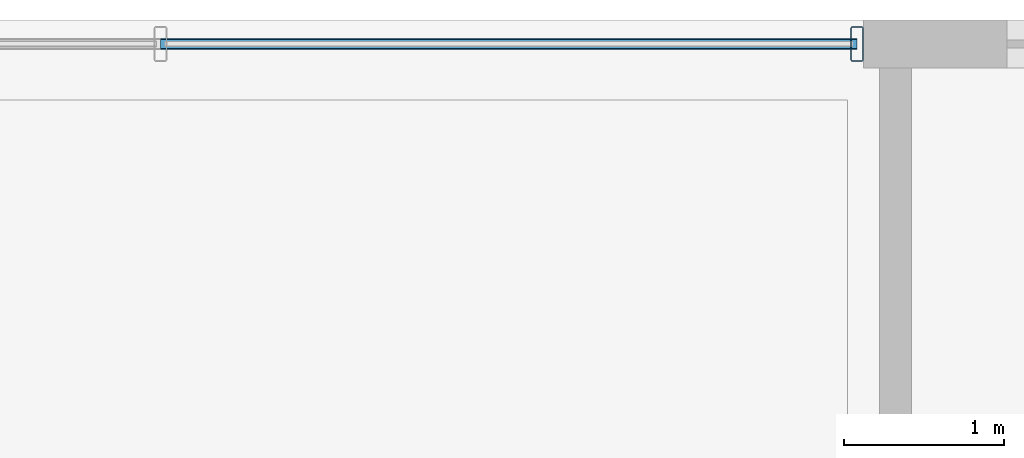
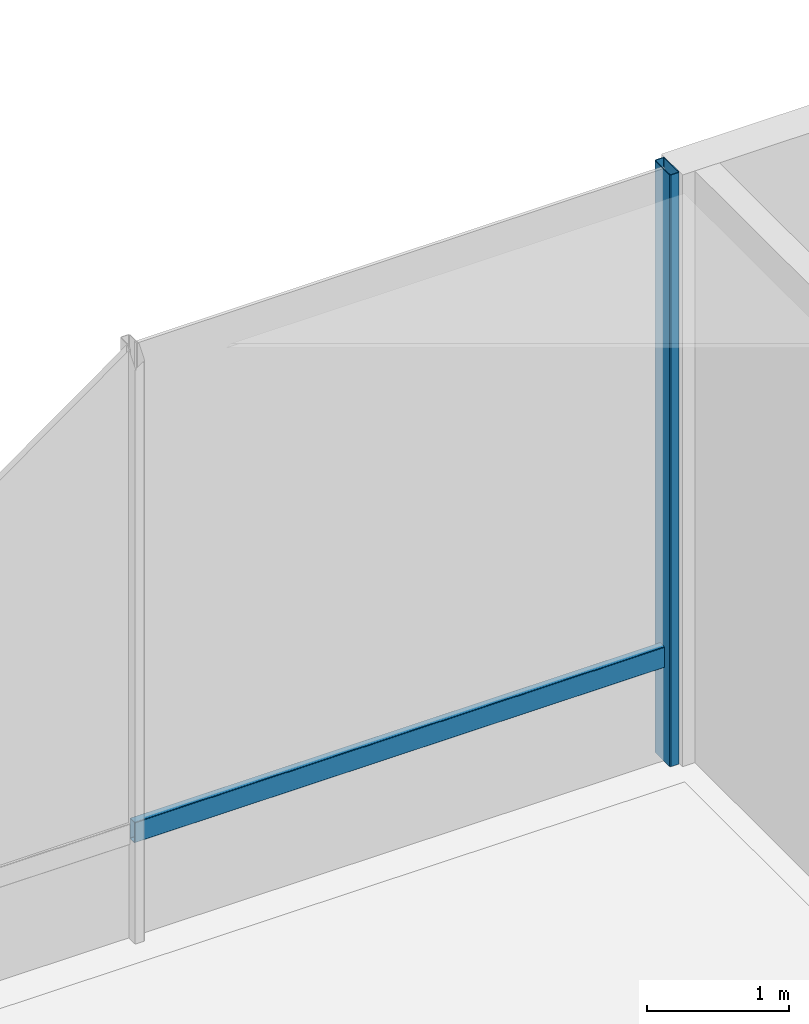
# One storey, part 18 of 46: 2 members, 1 element without a shape of its own.
"""IFC4 building model written with IfcOpenShell, lengths in metres."""

import ifcopenshell
import ifcopenshell.guid

model = None  # the IFC model being written
_history = None  # IfcOwnerHistory: only IFC2X3 demands one
_inside = {}  # id of a spatial element -> (the spatial element, [elements in it])
_under = {}  # id of a project, library or spatial element -> (it, [spatial elements below it])
_declared = {}  # id of a project -> (the project, [libraries it declares])
_typed = {}  # id of a type object -> (the type object, [elements of that type])
_made_of = {}  # id of a material, layer set ... -> (it, [elements and type objects made of it])


def new_model(schema):
    """Start an empty IFC model of exactly this schema.

    Asked for "IFC4X3", IfcOpenShell would pick the latest addendum, in which some entities
    have other attributes; the version numbers below select the first issue.
    IFC2X3 requires an IfcOwnerHistory on every rooted entity: one is made here for all.
    """
    global model, _history
    if schema == "IFC4X3":
        model = ifcopenshell.file(schema_version=(4, 3, 0, 0))
    else:
        model = ifcopenshell.file(schema=schema)
    _inside.clear()
    _under.clear()
    _declared.clear()
    _typed.clear()
    _made_of.clear()
    _history = None
    if model.schema == "IFC2X3":
        org = make("IfcOrganization", Name="unknown")
        user = make(
            "IfcPersonAndOrganization",
            ThePerson=make("IfcPerson", FamilyName="unknown"),
            TheOrganization=org,
        )
        app = make(
            "IfcApplication",
            ApplicationDeveloper=org,
            Version="unknown",
            ApplicationFullName="unknown",
            ApplicationIdentifier="unknown",
        )
        _history = make(
            "IfcOwnerHistory",
            OwningUser=user,
            OwningApplication=app,
            ChangeAction="ADDED",
            CreationDate=0,
        )
    return model


def make(cls, **values):
    """One entity of the class cls with the attributes given. An attribute that is None is left unset."""
    return model.create_entity(
        cls, **{name: value for name, value in values.items() if value is not None}
    )


def rooted(cls, **values):
    """An entity with a GlobalId (a new one), such as an element, a storey or a relation."""
    return make(cls, GlobalId=ifcopenshell.guid.new(), OwnerHistory=_history, **values)


def si_unit(unit_type, name, prefix=None):
    """IfcSIUnit, for example si_unit("LENGTHUNIT", "METRE", prefix="MILLI")."""
    return make("IfcSIUnit", UnitType=unit_type, Prefix=prefix, Name=name)


def assignment(units):
    """IfcUnitAssignment: the units of a project."""
    return None if units is None else make("IfcUnitAssignment", Units=units)


def point(xyz):
    """IfcCartesianPoint."""
    return None if xyz is None else make("IfcCartesianPoint", Coordinates=xyz)


def direction(xyz):
    """IfcDirection."""
    return None if xyz is None else make("IfcDirection", DirectionRatios=xyz)


def frame(location, z_axis=None, x_axis=None):
    """IfcAxis2Placement3D, a coordinate frame: its origin and axes. An axis left out is left unset."""
    return make(
        "IfcAxis2Placement3D",
        Location=point(location),
        Axis=direction(z_axis),
        RefDirection=direction(x_axis),
    )


def frame_2d(location, x_axis=None):
    """IfcAxis2Placement2D, a coordinate frame in the plane: its origin and x axis."""
    return make(
        "IfcAxis2Placement2D", Location=point(location), RefDirection=direction(x_axis)
    )


def origin():
    """The frame at (0, 0, 0) with its axes left unset."""
    return frame((0.0, 0.0, 0.0))


def origin_2d():
    """The frame at (0, 0) in the plane with its x axis left unset."""
    return frame_2d((0.0, 0.0))


def place(relative_to, where):
    """IfcLocalPlacement: puts the frame where relative to a parent placement (None: the world)."""
    return make(
        "IfcLocalPlacement", PlacementRelTo=relative_to, RelativePlacement=where
    )


def context(
    kind, dimensions, precision=None, world=None, true_north=None, identifier=None
):
    """IfcGeometricRepresentationContext, for example the 3D "Model" context."""
    return make(
        "IfcGeometricRepresentationContext",
        ContextIdentifier=identifier,
        ContextType=kind,
        CoordinateSpaceDimension=dimensions,
        Precision=precision,
        WorldCoordinateSystem=world,
        TrueNorth=true_north,
    )


def subcontext(parent, identifier, kind, view, scale=None):
    """IfcGeometricRepresentationSubContext, for example "Body" below "Model"."""
    return make(
        "IfcGeometricRepresentationSubContext",
        ContextIdentifier=identifier,
        ContextType=kind,
        ParentContext=parent,
        TargetScale=scale,
        TargetView=view,
    )


def project(units=None, contexts=None):
    """IfcProject with its units and contexts."""
    return rooted(
        "IfcProject",
        Name="project",
        RepresentationContexts=contexts,
        UnitsInContext=assignment(units),
    )


def spatial(cls, under=None, at=None, **own):
    """A site, building, storey or space (cls), placed at a placement, below another one or the project."""
    s = rooted(cls, ObjectPlacement=at, **own)
    if under is not None:
        _under.setdefault(under.id(), (under, []))[1].append(s)
    return s


def profile(cls, at=None, kind="AREA", **sizes):
    """A parametric profile (cls). Its sizes go by their IFC names, for example OverallWidth=200.0."""
    return make(cls, ProfileType=kind, Position=at, **sizes)


def hollow_rectangle(**sizes):
    """IfcRectangleHollowProfileDef."""
    return profile("IfcRectangleHollowProfileDef", **sizes)


def extrude(swept, where, along, depth):
    """IfcExtrudedAreaSolid: the profile swept, set in the frame where, extruded along a direction by depth."""
    return make(
        "IfcExtrudedAreaSolid",
        SweptArea=swept,
        Position=where,
        ExtrudedDirection=direction(along),
        Depth=depth,
    )


def shape(context_of_items, identifier, shape_type, items):
    """IfcShapeRepresentation: the items that make up one representation, for example the "Body"."""
    return make(
        "IfcShapeRepresentation",
        ContextOfItems=context_of_items,
        RepresentationIdentifier=identifier,
        RepresentationType=shape_type,
        Items=items,
    )


def material(Name=None, Category=None):
    """IfcMaterial."""
    return make("IfcMaterial", Name=Name, Category=Category)


def layer(
    of_material, thickness, ventilated=None, Name=None, Category=None, Priority=None
):
    """IfcMaterialLayer: one layer of a wall or slab, of a material (None: an air gap)."""
    return make(
        "IfcMaterialLayer",
        Material=of_material,
        LayerThickness=thickness,
        IsVentilated=ventilated,
        Name=Name,
        Category=Category,
        Priority=Priority,
    )


def layer_set(layers, Name=None):
    """IfcMaterialLayerSet."""
    return make("IfcMaterialLayerSet", MaterialLayers=layers, LayerSetName=Name)


def material_profile(
    of_material, cross_section, Name=None, Category=None, Priority=None
):
    """IfcMaterialProfile: a cross section and its material."""
    return make(
        "IfcMaterialProfile",
        Name=Name,
        Material=of_material,
        Profile=cross_section,
        Priority=Priority,
        Category=Category,
    )


def profile_set(profiles, Name=None, composite=None):
    """IfcMaterialProfileSet."""
    return make(
        "IfcMaterialProfileSet",
        Name=Name,
        MaterialProfiles=profiles,
        CompositeProfile=composite,
    )


def made_of(thing, what):
    """Note that an element or type object is made of a material, layer set ...; save() writes the relation."""
    if what is not None:
        _made_of.setdefault(what.id(), (what, []))[1].append(thing)
    return thing


def type_object(cls, material=None, **own):
    """A type object (cls), such as IfcWallType, which elements share."""
    return made_of(rooted(cls, **own), material)


def element(
    cls,
    number,
    at=None,
    inside=None,
    cuts=None,
    type_object=None,
    material=None,
    context=None,
    identifier="Body",
    shape_type=None,
    held_by="IfcProductDefinitionShape",
    body=None,
    shapes=None,
    **own,
):
    """One element of the class cls, such as IfcWall. Its Tag is "e" and its number.

    at: its placement. inside: the storey or other place that contains it. cuts: it is an
    opening in that element (IfcRelVoidsElement). A single representation is given by context,
    identifier, shape_type and body (its items); several are given by shapes. held_by: the class
    of the entity that holds the representations. save() writes the other relations.
    """
    e = rooted(cls, Tag="e%d" % number, ObjectPlacement=at, **own)
    if body is not None:
        shapes = [shape(context, identifier, shape_type, body)]
    if shapes is not None:
        e.Representation = make(held_by, Representations=shapes)
    if inside is not None:
        _inside.setdefault(inside.id(), (inside, []))[1].append(e)
    if cuts is not None:
        rooted(
            "IfcRelVoidsElement", RelatingBuildingElement=cuts, RelatedOpeningElement=e
        )
    if type_object is not None:
        _typed.setdefault(type_object.id(), (type_object, []))[1].append(e)
    return made_of(e, material)


def aggregate(whole, parts):
    """IfcRelAggregates: a whole, such as a stair, and the parts it consists of."""
    return rooted("IfcRelAggregates", RelatingObject=whole, RelatedObjects=parts)


def save(model, path):
    """Write the relations noted so far, then the file.

    IfcRelAggregates (storeys below a building ...), IfcRelContainedInSpatialStructure (elements
    in a storey), IfcRelDefinesByType, IfcRelAssociatesMaterial and IfcRelDeclares: one each for
    every whole, place, type object, material and project.
    """
    for whole, parts in _under.values():
        aggregate(whole, parts)
    for where, things in _inside.values():
        rooted(
            "IfcRelContainedInSpatialStructure",
            RelatedElements=things,
            RelatingStructure=where,
        )
    for kind, things in _typed.values():
        rooted("IfcRelDefinesByType", RelatedObjects=things, RelatingType=kind)
    for what, things in _made_of.values():
        rooted("IfcRelAssociatesMaterial", RelatedObjects=things, RelatingMaterial=what)
    for by, libraries in _declared.values():
        rooted("IfcRelDeclares", RelatingContext=by, RelatedDefinitions=libraries)
    model.write(path)


model = new_model("IFC4")

# Units and contexts
model_context = context("Model", 3, precision=1e-05, world=origin(), true_north=direction((0.0, 1.0)))
body_context = subcontext(model_context, "Body", "Model", "MODEL_VIEW")
ifc_project = project(units=[si_unit("LENGTHUNIT", "METRE"), si_unit("AREAUNIT", "SQUARE_METRE"), si_unit("VOLUMEUNIT", "CUBIC_METRE"), si_unit("PLANEANGLEUNIT", "RADIAN"), si_unit("MASSUNIT", "GRAM", prefix="KILO")], contexts=[model_context])

# Site, building, storey
site_placement = place(None, origin())
site = spatial("IfcSite", under=ifc_project, at=site_placement, CompositionType="ELEMENT")
building_placement = place(site_placement, origin())
building = spatial("IfcBuilding", under=site, at=building_placement, Name="Korimba Cascade Residences", CompositionType="ELEMENT")
storey_placement = place(building_placement, origin())
storey = spatial("IfcBuildingStorey", under=building, at=storey_placement, Name="L00", CompositionType="ELEMENT", Elevation=0.0)

# Curtain wall, members
ifc_material_1 = material(Name="Anodised Aluminium Curtain Wall Framing", Category="aluminium")
ifc_layer = layer(ifc_material_1, 0.179931640625)
ifc_layer_set = layer_set([ifc_layer], Name="Anodised Aluminium Curtain Wall Framing")
curtain_wall_type = type_object("IfcCurtainWallType", Name="CW-POD-SYS1", PredefinedType="NOTDEFINED", material=ifc_layer_set)
curtain_wall_placement = place(storey_placement, origin())
curtain_wall = element("IfcCurtainWall", 1, at=curtain_wall_placement, inside=storey, type_object=curtain_wall_type, Name="L00 Curtain Wall CW-L00-POD-N1", PredefinedType="NOTDEFINED")
ifc_material_2 = material(Name="Anodised Aluminium Mullion", Category="aluminium")
ifc_material_profile_1 = material_profile(ifc_material_2, hollow_rectangle(XDim=0.080078125, YDim=0.219970703125, WallThickness=0.00634765625, InnerFilletRadius=0.00634765625, OuterFilletRadius=0.0126953125, at=origin_2d()), Name="Anodised Aluminium Mullion")
ifc_profile_set_1 = profile_set([ifc_material_profile_1], Name="Anodised Aluminium Mullion")
member_type_1 = type_object("IfcMemberType", Name="CWM-MUL-220", PredefinedType="MULLION", material=ifc_profile_set_1)
member_1_placement = place(storey_placement, frame((104.860107421875, 109.050048828125, 0.0), z_axis=(0.0, 0.0, 1.0), x_axis=(-1.0, 0.0, 0.0)))
member_1 = element("IfcMember", 2, at=member_1_placement, type_object=member_type_1, Name="CW-L00-POD-N1 Mullion 1", PredefinedType="MULLION", context=body_context, shape_type="SweptSolid", body=[
    extrude(hollow_rectangle(XDim=0.080078125, YDim=0.219970703125, WallThickness=0.00634765625, InnerFilletRadius=0.00634765625, OuterFilletRadius=0.0126953125, at=origin_2d()), origin(), (0.0, 0.0, 1.0), 5.10009765625),
])
ifc_material_3 = material(Name="Anodised Aluminium Transom", Category="aluminium")
ifc_material_profile_2 = material_profile(ifc_material_3, hollow_rectangle(XDim=0.070068359375, YDim=0.179931640625, WallThickness=0.0048828125, InnerFilletRadius=0.0048828125, OuterFilletRadius=0.010009765625, at=origin_2d()), Name="Anodised Aluminium Transom")
ifc_profile_set_2 = profile_set([ifc_material_profile_2], Name="Anodised Aluminium Transom")
member_type_2 = type_object("IfcMemberType", Name="CWM-TRN-150", PredefinedType="USERDEFINED", material=ifc_profile_set_2)
member_2_placement = place(storey_placement, frame((104.860107421875, 109.050048828125, 0.89990234375), z_axis=(-1.0, 0.0, 0.0), x_axis=(0.0, -1.0, 0.0)))
member_2 = element("IfcMember", 3, at=member_2_placement, type_object=member_type_2, Name="CW-L00-POD-N1 Transom 1", ObjectType="TRANSOM", PredefinedType="USERDEFINED", context=body_context, shape_type="SweptSolid", body=[
    extrude(hollow_rectangle(XDim=0.070068359375, YDim=0.179931640625, WallThickness=0.0048828125, InnerFilletRadius=0.0048828125, OuterFilletRadius=0.010009765625, at=origin_2d()), origin(), (0.0, 0.0, 1.0), 4.360107421875),
])
aggregate(curtain_wall, [member_1, member_2])

save(model, "model.ifc")
